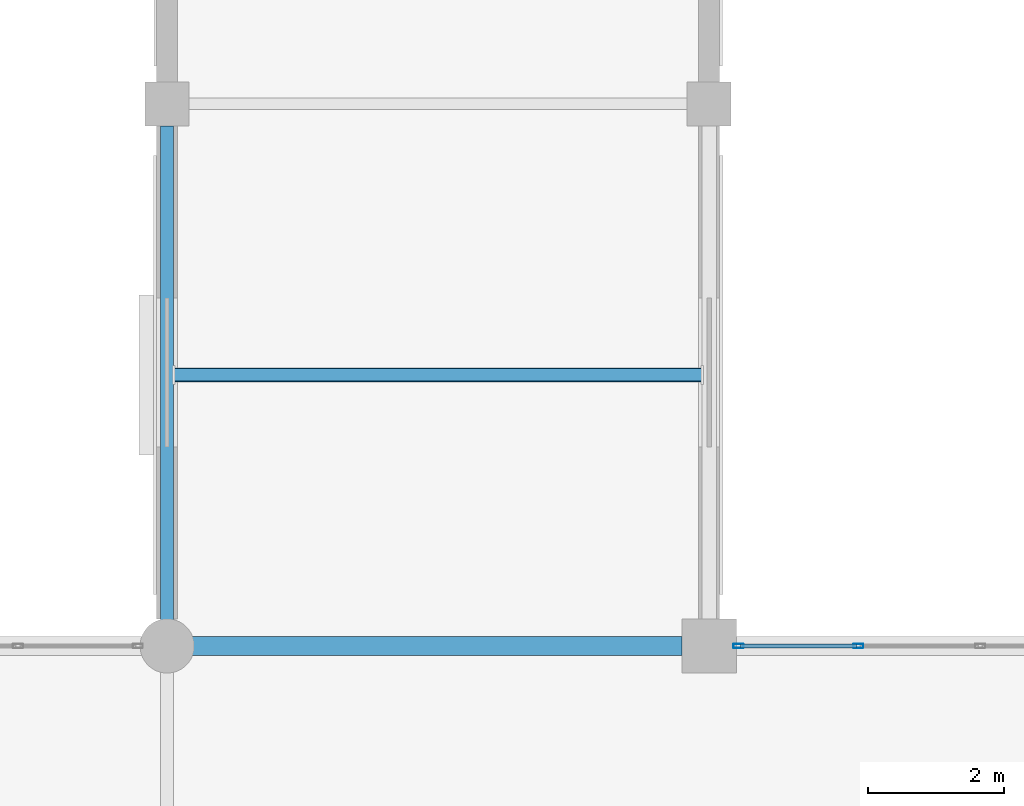
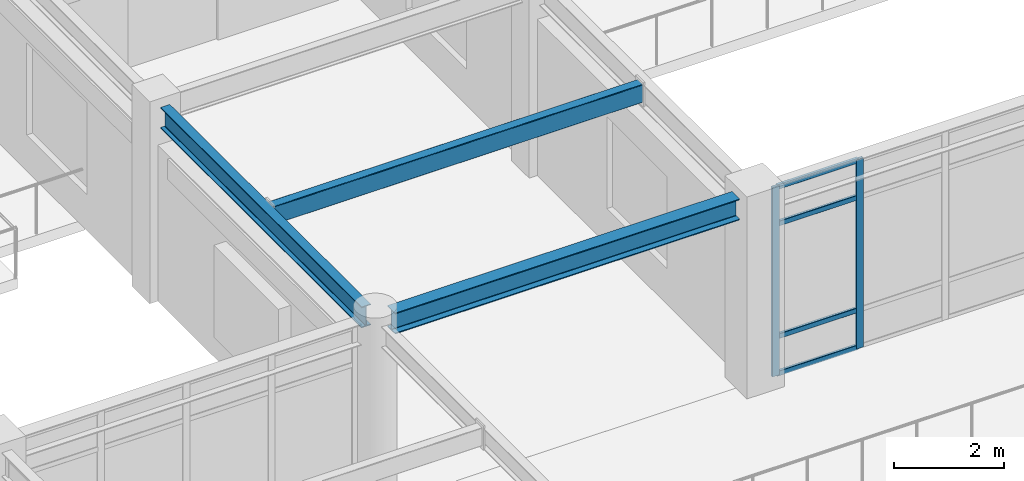
# One storey, part 39 of 93: 6 members, 3 beams, 1 element without a shape of its own.
"""IFC4 building model written with IfcOpenShell, lengths in metres."""

from ifc_helpers import new_model, si_unit, direction, frame, origin, origin_2d, place, context, subcontext, project, spatial, hollow_rectangle, i_section, extrude, material, material_profile, profile_set, type_object, element, aggregate, save


model = new_model("IFC4")

# Units and contexts
model_context = context("Model", 3, precision=1e-05, world=origin(), true_north=direction((0.0, 1.0)))
body_context = subcontext(model_context, "Body", "Model", "MODEL_VIEW")
ifc_project = project(units=[si_unit("LENGTHUNIT", "METRE"), si_unit("AREAUNIT", "SQUARE_METRE"), si_unit("VOLUMEUNIT", "CUBIC_METRE"), si_unit("PLANEANGLEUNIT", "RADIAN"), si_unit("MASSUNIT", "GRAM", prefix="KILO")], contexts=[model_context])

# Site, building, storey
site_placement = place(None, origin())
site = spatial("IfcSite", under=ifc_project, at=site_placement, CompositionType="ELEMENT")
building_placement = place(site_placement, origin())
building = spatial("IfcBuilding", under=site, at=building_placement, Name="Solmirada Galleria", CompositionType="ELEMENT")
storey_placement = place(building_placement, frame((0.0, 0.0, 14.89990234375)))
storey = spatial("IfcBuildingStorey", under=building, at=storey_placement, Name="L03", CompositionType="ELEMENT", Elevation=14.89990234375)

# Beams
ifc_material_1 = material(Name="Steel S355 / ASTM A992 Grade 50", Category="steel")
ifc_material_profile_1 = material_profile(ifc_material_1, i_section(OverallWidth=0.281982421875, OverallDepth=0.467041015625, WebThickness=0.01220703125, FlangeThickness=0.01953125, FilletRadius=0.013916015625, at=origin_2d()), Name="W18X86")
ifc_profile_set_1 = profile_set([ifc_material_profile_1], Name="Steel S355 / ASTM A992 Grade 50")
beam_type_1 = type_object("IfcBeamType", Name="BM-GIRD-W18A", PredefinedType="BEAM", material=ifc_profile_set_1)
beam_1_placement = place(storey_placement, frame((88.3359375, 72.0, 4.066650390625), z_axis=(1.0, 0.0, 0.0), x_axis=(0.0, 1.0, 0.0)))
element("IfcBeam", 1, at=beam_1_placement, inside=storey, type_object=beam_type_1, Name="Primary beam L04 X(88..96, 72)", PredefinedType="BEAM", context=body_context, shape_type="SweptSolid", body=[
    extrude(i_section(OverallWidth=0.281982421875, OverallDepth=0.467041015625, WebThickness=0.01220703125, FlangeThickness=0.01953125, FilletRadius=0.013916015625, at=origin_2d()), origin(), (0.0, 0.0, 1.0), 7.26416015625),
])
ifc_material_profile_2 = material_profile(ifc_material_1, i_section(OverallWidth=0.194091796875, OverallDepth=0.468994140625, WebThickness=0.0126953125, FlangeThickness=0.0205078125, FilletRadius=0.013916015625, at=origin_2d()), Name="W18X71")
ifc_profile_set_2 = profile_set([ifc_material_profile_2], Name="Steel S355 / ASTM A992 Grade 50")
beam_type_2 = type_object("IfcBeamType", Name="BM-GIRD-W18B", PredefinedType="BEAM", material=ifc_profile_set_2)
beam_2_placement = place(storey_placement, frame((88.0, 72.3359375, 4.065673828125), z_axis=(0.0, 1.0, 0.0), x_axis=(-1.0, 0.0, 0.0)))
element("IfcBeam", 2, at=beam_2_placement, inside=storey, type_object=beam_type_2, Name="Primary girder L04 Y(88, 72..80)", PredefinedType="BEAM", context=body_context, shape_type="SweptSolid", body=[
    extrude(i_section(OverallWidth=0.194091796875, OverallDepth=0.468994140625, WebThickness=0.0126953125, FlangeThickness=0.0205078125, FilletRadius=0.013916015625, at=origin_2d()), origin(), (0.0, 0.0, 1.0), 7.339111328125),
])
ifc_material_2 = material(Name="Steel S355 / ASTM A500 Grade C", Category="steel")
ifc_material_profile_3 = material_profile(ifc_material_2, hollow_rectangle(XDim=0.202880859375, YDim=0.406005859375, WallThickness=0.01171875, InnerFilletRadius=0.01171875, OuterFilletRadius=0.023681640625, at=origin_2d()), Name="HSS16X8X1/2")
ifc_profile_set_3 = profile_set([ifc_material_profile_3], Name="Steel S355 / ASTM A500 Grade C")
beam_type_3 = type_object("IfcBeamType", Name="BM-JST-W16B", PredefinedType="JOIST", material=ifc_profile_set_3)
beam_3_placement = place(storey_placement, frame((88.096923828125, 76.0, 4.09716796875), z_axis=(1.0, 0.0, 0.0), x_axis=(0.0, 1.0, 0.0)))
element("IfcBeam", 3, at=beam_3_placement, inside=storey, type_object=beam_type_3, Name="Composite floor joist L04 (88..96, 76.0)", PredefinedType="JOIST", context=body_context, shape_type="SweptSolid", body=[
    extrude(hollow_rectangle(XDim=0.202880859375, YDim=0.406005859375, WallThickness=0.01171875, InnerFilletRadius=0.01171875, OuterFilletRadius=0.023681640625, at=origin_2d()), origin(), (0.0, 0.0, 1.0), 7.798095703125),
])

# Curtain wall, members
ifc_material_3 = material(Name="Impact-resistant low-E double glazing", Category="glass")
curtain_wall_type = type_object("IfcCurtainWallType", Name="CW-FZ3-L03-B4-L072", PredefinedType="NOTDEFINED", material=ifc_material_3)
curtain_wall_placement = place(storey_placement, origin())
curtain_wall = element("IfcCurtainWall", 4, at=curtain_wall_placement, inside=storey, type_object=curtain_wall_type, Name="Terrace and arcade storefront CW-L03-129", PredefinedType="NOTDEFINED")
ifc_material_4 = material(Name="Anodised aluminium framing", Category="aluminium")
ifc_material_profile_4 = material_profile(ifc_material_4, hollow_rectangle(XDim=0.06005859375, YDim=0.14990234375, WallThickness=0.00341796875, InnerFilletRadius=0.00341796875, OuterFilletRadius=0.007080078125, at=origin_2d()), Name="ALU-MULL-150X60")
ifc_profile_set_4 = profile_set([ifc_material_profile_4], Name="Anodised aluminium framing")
member_type_1 = type_object("IfcMemberType", Name="CW-MULL-150", PredefinedType="MULLION", material=ifc_profile_set_4)
member_1_placement = place(storey_placement, frame((96.431884765625, 72.0, 0.0), z_axis=(0.0, 0.0, 1.0), x_axis=(0.0, 1.0, 0.0)))
member_1 = element("IfcMember", 5, at=member_1_placement, type_object=member_type_1, Name="CW27 mullion 1", PredefinedType="MULLION", context=body_context, shape_type="SweptSolid", body=[
    extrude(hollow_rectangle(XDim=0.06005859375, YDim=0.14990234375, WallThickness=0.00341796875, InnerFilletRadius=0.00341796875, OuterFilletRadius=0.007080078125, at=origin_2d()), origin(), (0.0, 0.0, 1.0), 4.22021484375),
])
member_2_placement = place(storey_placement, frame((98.200927734375, 72.0, 0.0), z_axis=(0.0, 0.0, 1.0), x_axis=(0.0, 1.0, 0.0)))
member_2 = element("IfcMember", 6, at=member_2_placement, type_object=member_type_1, Name="CW27 mullion 2", PredefinedType="MULLION", context=body_context, shape_type="SweptSolid", body=[
    extrude(hollow_rectangle(XDim=0.06005859375, YDim=0.14990234375, WallThickness=0.00341796875, InnerFilletRadius=0.00341796875, OuterFilletRadius=0.007080078125, at=origin_2d()), origin(), (0.0, 0.0, 1.0), 4.22021484375),
])
ifc_material_profile_5 = material_profile(ifc_material_4, hollow_rectangle(XDim=0.06005859375, YDim=0.110107421875, WallThickness=0.003173828125, InnerFilletRadius=0.003173828125, OuterFilletRadius=0.00634765625, at=origin_2d()), Name="ALU-TRAN-110X60")
ifc_profile_set_5 = profile_set([ifc_material_profile_5], Name="Anodised aluminium framing")
member_type_2 = type_object("IfcMemberType", Name="CW-TRAN-110", PredefinedType="USERDEFINED", material=ifc_profile_set_5)
member_3_placement = place(storey_placement, frame((96.4619140625, 72.0, 0.030029296875), z_axis=(1.0, 0.0, 0.0), x_axis=(0.0, 1.0, 0.0)))
member_3 = element("IfcMember", 7, at=member_3_placement, type_object=member_type_2, Name="CW27 transom 1.1", ObjectType="TRANSOM", PredefinedType="USERDEFINED", context=body_context, shape_type="SweptSolid", body=[
    extrude(hollow_rectangle(XDim=0.06005859375, YDim=0.110107421875, WallThickness=0.003173828125, InnerFilletRadius=0.003173828125, OuterFilletRadius=0.00634765625, at=origin_2d()), origin(), (0.0, 0.0, 1.0), 1.708984375),
])
member_4_placement = place(storey_placement, frame((96.4619140625, 72.0, 0.860107421875), z_axis=(1.0, 0.0, 0.0), x_axis=(0.0, 1.0, 0.0)))
member_4 = element("IfcMember", 8, at=member_4_placement, type_object=member_type_2, Name="CW27 transom 1.2", ObjectType="TRANSOM", PredefinedType="USERDEFINED", context=body_context, shape_type="SweptSolid", body=[
    extrude(hollow_rectangle(XDim=0.06005859375, YDim=0.110107421875, WallThickness=0.003173828125, InnerFilletRadius=0.003173828125, OuterFilletRadius=0.00634765625, at=origin_2d()), origin(), (0.0, 0.0, 1.0), 1.708984375),
])
member_5_placement = place(storey_placement, frame((96.4619140625, 72.0, 3.3701171875), z_axis=(1.0, 0.0, 0.0), x_axis=(0.0, 1.0, 0.0)))
member_5 = element("IfcMember", 9, at=member_5_placement, type_object=member_type_2, Name="CW27 transom 1.3", ObjectType="TRANSOM", PredefinedType="USERDEFINED", context=body_context, shape_type="SweptSolid", body=[
    extrude(hollow_rectangle(XDim=0.06005859375, YDim=0.110107421875, WallThickness=0.003173828125, InnerFilletRadius=0.003173828125, OuterFilletRadius=0.00634765625, at=origin_2d()), origin(), (0.0, 0.0, 1.0), 1.708984375),
])
member_6_placement = place(storey_placement, frame((96.4619140625, 72.0, 4.190185546875), z_axis=(1.0, 0.0, 0.0), x_axis=(0.0, 1.0, 0.0)))
member_6 = element("IfcMember", 10, at=member_6_placement, type_object=member_type_2, Name="CW27 transom 1.4", ObjectType="TRANSOM", PredefinedType="USERDEFINED", context=body_context, shape_type="SweptSolid", body=[
    extrude(hollow_rectangle(XDim=0.06005859375, YDim=0.110107421875, WallThickness=0.003173828125, InnerFilletRadius=0.003173828125, OuterFilletRadius=0.00634765625, at=origin_2d()), origin(), (0.0, 0.0, 1.0), 1.708984375),
])
aggregate(curtain_wall, [member_1, member_2, member_3, member_4, member_5, member_6])

save(model, "model.ifc")
